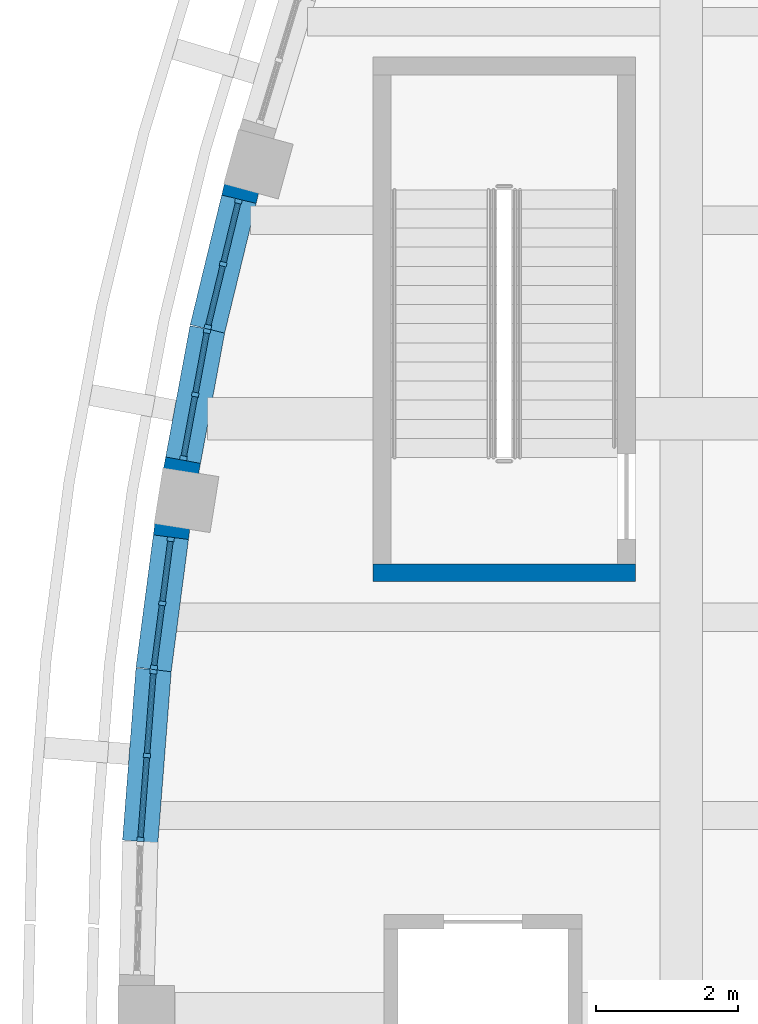
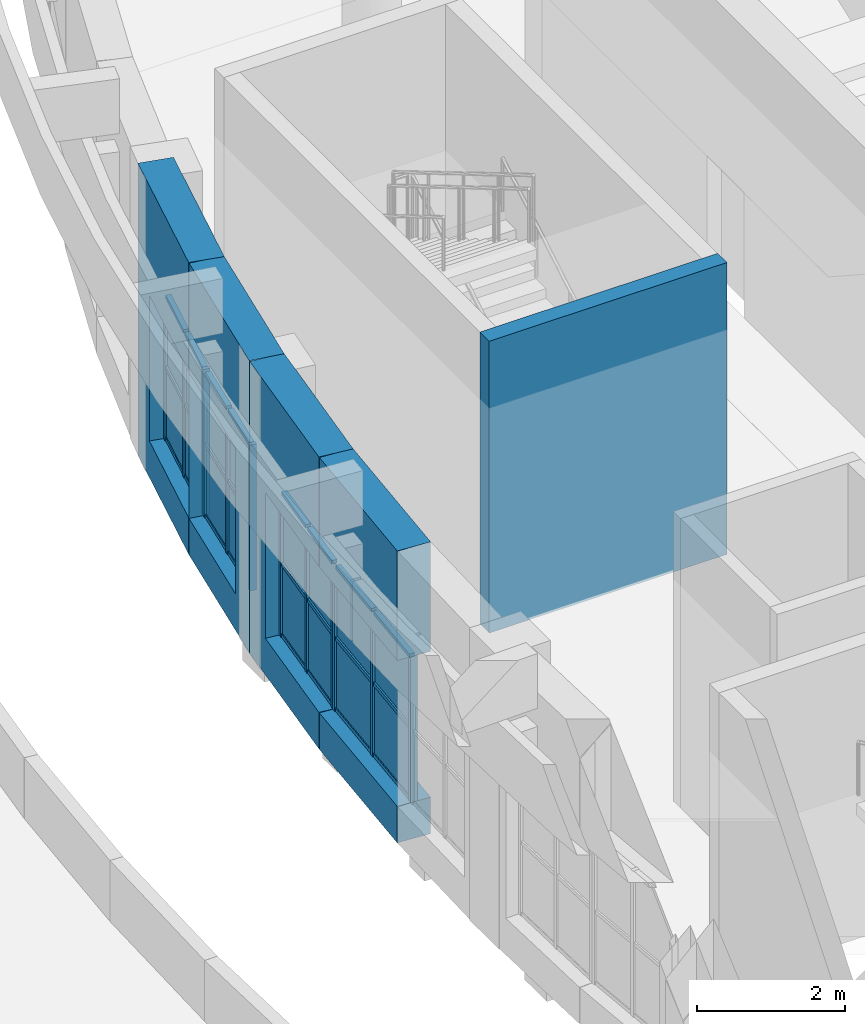
# One storey, part 24 of 79: 36 members, 16 plates, 5 walls, 4 openings, 4 elements without a shape of their own.
"""IFC4 building model written with IfcOpenShell, lengths in metres."""

from ifc_helpers import new_model, si_unit, direction, frame, frame_2d, origin, origin_2d, place, context, subcontext, project, spatial, rectangle, extrude, material, layer, layer_set, material_profile, profile_set, type_object, element, fill, aggregate, save


model = new_model("IFC4")

# Units and contexts
model_context = context("Model", 3, precision=1e-05, world=origin(), true_north=direction((0.0, 1.0)))
body_context = subcontext(model_context, "Body", "Model", "MODEL_VIEW")
ifc_project = project(units=[si_unit("LENGTHUNIT", "METRE"), si_unit("AREAUNIT", "SQUARE_METRE"), si_unit("VOLUMEUNIT", "CUBIC_METRE"), si_unit("PLANEANGLEUNIT", "RADIAN"), si_unit("MASSUNIT", "GRAM", prefix="KILO")], contexts=[model_context])

# Site, building, storey
site_placement = place(None, origin())
site = spatial("IfcSite", under=ifc_project, at=site_placement, CompositionType="ELEMENT")
building_placement = place(site_placement, origin())
building = spatial("IfcBuilding", under=site, at=building_placement, Name="Larchfold Concert Hall", CompositionType="ELEMENT")
storey_placement = place(building_placement, frame((0.0, 0.0, 14.39990234375)))
storey = spatial("IfcBuildingStorey", under=building, at=storey_placement, Name="L03", CompositionType="ELEMENT", Elevation=14.39990234375)

# Curtain wall, members
ifc_material_1 = material(Name="Anodised graphite aluminium curtain wall", Category="aluminium")
ifc_layer_1 = layer(ifc_material_1, 0.10009765625)
ifc_layer_set_1 = layer_set([ifc_layer_1], Name="Anodised graphite aluminium curtain wall")
curtain_wall_type = type_object("IfcCurtainWallType", Name="Curtain wall GB", PredefinedType="NOTDEFINED", material=ifc_layer_set_1)
curtain_wall_1_placement = place(storey_placement, origin())
curtain_wall_1 = element("IfcCurtainWall", 1, at=curtain_wall_1_placement, inside=storey, type_object=curtain_wall_type, Name="Curtain wall CW0034", PredefinedType="NOTDEFINED")
ifc_material_2 = material(Name="Anodised graphite aluminium mullion", Category="aluminium")
ifc_material_profile_1 = material_profile(ifc_material_2, rectangle(XDim=0.10009765625, YDim=0.06005859375, at=origin_2d()))
ifc_profile_set_1 = profile_set([ifc_material_profile_1], Name="Anodised graphite aluminium mullion")
member_type_1 = type_object("IfcMemberType", Name="Aluminium mullion 60x100", PredefinedType="MULLION", material=ifc_profile_set_1)
member_1_placement = place(storey_placement, frame((19.54833984375, 96.067626953125, 0.60009765625), z_axis=(0.0, 0.0, 1.0), x_axis=(0.971781721207, -0.235881933026, 0.0)))
member_1 = element("IfcMember", 2, at=member_1_placement, type_object=member_type_1, Name="CW0034 mullion 1", PredefinedType="MULLION", context=body_context, shape_type="SweptSolid", body=[
    extrude(rectangle(XDim=0.10009765625, YDim=0.06005859375, at=origin_2d()), origin(), (0.0, 0.0, 1.0), 2.39990234375),
])
member_2_placement = place(storey_placement, frame((19.333251953125, 95.181396484375, 0.60009765625), z_axis=(0.0, 0.0, 1.0), x_axis=(0.971781721207, -0.235881933026, 0.0)))
member_2 = element("IfcMember", 3, at=member_2_placement, type_object=member_type_1, Name="CW0034 mullion 2", PredefinedType="MULLION", context=body_context, shape_type="SweptSolid", body=[
    extrude(rectangle(XDim=0.10009765625, YDim=0.06005859375, at=origin_2d()), origin(), (0.0, 0.0, 1.0), 2.39990234375),
])
member_3_placement = place(storey_placement, frame((19.1181640625, 94.295166015625, 0.60009765625), z_axis=(0.0, 0.0, 1.0), x_axis=(0.971781721207, -0.235881933026, 0.0)))
member_3 = element("IfcMember", 4, at=member_3_placement, type_object=member_type_1, Name="CW0034 mullion 3", PredefinedType="MULLION", context=body_context, shape_type="SweptSolid", body=[
    extrude(rectangle(XDim=0.10009765625, YDim=0.06005859375, at=origin_2d()), origin(), (0.0, 0.0, 1.0), 2.39990234375),
])

curtain_wall_2_placement = place(storey_placement, origin())
curtain_wall_2 = element("IfcCurtainWall", 5, at=curtain_wall_2_placement, inside=storey, type_object=curtain_wall_type, Name="Curtain wall CW0035", PredefinedType="NOTDEFINED")
member_4_placement = place(storey_placement, frame((19.105712890625, 94.236572265625, 0.60009765625), z_axis=(0.0, 0.0, 1.0), x_axis=(0.983231256896, -0.182363086895, 0.0)))
member_4 = element("IfcMember", 6, at=member_4_placement, type_object=member_type_1, Name="CW0035 mullion 1", PredefinedType="MULLION", context=body_context, shape_type="SweptSolid", body=[
    extrude(rectangle(XDim=0.10009765625, YDim=0.06005859375, at=origin_2d()), origin(), (0.0, 0.0, 1.0), 2.39990234375),
])
member_5_placement = place(storey_placement, frame((18.939453125, 93.340087890625, 0.60009765625), z_axis=(0.0, 0.0, 1.0), x_axis=(0.983231256896, -0.182363086895, 0.0)))
member_5 = element("IfcMember", 7, at=member_5_placement, type_object=member_type_1, Name="CW0035 mullion 2", PredefinedType="MULLION", context=body_context, shape_type="SweptSolid", body=[
    extrude(rectangle(XDim=0.10009765625, YDim=0.06005859375, at=origin_2d()), origin(), (0.0, 0.0, 1.0), 2.39990234375),
])
member_6_placement = place(storey_placement, frame((18.77294921875, 92.443603515625, 0.60009765625), z_axis=(0.0, 0.0, 1.0), x_axis=(0.983231256896, -0.182363086895, 0.0)))
member_6 = element("IfcMember", 8, at=member_6_placement, type_object=member_type_1, Name="CW0035 mullion 3", PredefinedType="MULLION", context=body_context, shape_type="SweptSolid", body=[
    extrude(rectangle(XDim=0.10009765625, YDim=0.06005859375, at=origin_2d()), origin(), (0.0, 0.0, 1.0), 2.39990234375),
])

curtain_wall_3_placement = place(storey_placement, origin())
curtain_wall_3 = element("IfcCurtainWall", 9, at=curtain_wall_3_placement, inside=storey, type_object=curtain_wall_type, Name="Curtain wall CW0036", PredefinedType="NOTDEFINED")
member_7_placement = place(storey_placement, frame((18.592041015625, 91.297607421875, 0.60009765625), z_axis=(0.0, 0.0, 1.0), x_axis=(0.991547567541, -0.129743675388, 0.0)))
member_7 = element("IfcMember", 10, at=member_7_placement, type_object=member_type_1, Name="CW0036 mullion 1", PredefinedType="MULLION", context=body_context, shape_type="SweptSolid", body=[
    extrude(rectangle(XDim=0.10009765625, YDim=0.06005859375, at=origin_2d()), origin(), (0.0, 0.0, 1.0), 2.39990234375),
])
member_8_placement = place(storey_placement, frame((18.473876953125, 90.3935546875, 0.60009765625), z_axis=(0.0, 0.0, 1.0), x_axis=(0.991547567541, -0.129743675388, 0.0)))
member_8 = element("IfcMember", 11, at=member_8_placement, type_object=member_type_1, Name="CW0036 mullion 2", PredefinedType="MULLION", context=body_context, shape_type="SweptSolid", body=[
    extrude(rectangle(XDim=0.10009765625, YDim=0.06005859375, at=origin_2d()), origin(), (0.0, 0.0, 1.0), 2.39990234375),
])
member_9_placement = place(storey_placement, frame((18.35546875, 89.489501953125, 0.60009765625), z_axis=(0.0, 0.0, 1.0), x_axis=(0.991547567541, -0.129743675388, 0.0)))
member_9 = element("IfcMember", 12, at=member_9_placement, type_object=member_type_1, Name="CW0036 mullion 3", PredefinedType="MULLION", context=body_context, shape_type="SweptSolid", body=[
    extrude(rectangle(XDim=0.10009765625, YDim=0.06005859375, at=origin_2d()), origin(), (0.0, 0.0, 1.0), 2.39990234375),
])

curtain_wall_4_placement = place(storey_placement, origin())
curtain_wall_4 = element("IfcCurtainWall", 13, at=curtain_wall_4_placement, inside=storey, type_object=curtain_wall_type, Name="Curtain wall CW0037", PredefinedType="NOTDEFINED")
member_10_placement = place(storey_placement, frame((18.34912109375, 89.4296875, 0.60009765625), z_axis=(0.0, 0.0, 1.0), x_axis=(0.996989221463, -0.07754026236, 0.0)))
member_10 = element("IfcMember", 14, at=member_10_placement, type_object=member_type_1, Name="CW0037 mullion 1", PredefinedType="MULLION", context=body_context, shape_type="SweptSolid", body=[
    extrude(rectangle(XDim=0.10009765625, YDim=0.06005859375, at=origin_2d()), origin(), (0.0, 0.0, 1.0), 2.39990234375),
])
member_11_placement = place(storey_placement, frame((18.257080078125, 88.24658203125, 0.60009765625), z_axis=(0.0, 0.0, 1.0), x_axis=(0.996989221463, -0.07754026236, 0.0)))
member_11 = element("IfcMember", 15, at=member_11_placement, type_object=member_type_1, Name="CW0037 mullion 2", PredefinedType="MULLION", context=body_context, shape_type="SweptSolid", body=[
    extrude(rectangle(XDim=0.10009765625, YDim=0.06005859375, at=origin_2d()), origin(), (0.0, 0.0, 1.0), 2.39990234375),
])
member_12_placement = place(storey_placement, frame((18.165283203125, 87.063232421875, 0.60009765625), z_axis=(0.0, 0.0, 1.0), x_axis=(0.996989221463, -0.07754026236, 0.0)))
member_12 = element("IfcMember", 16, at=member_12_placement, type_object=member_type_1, Name="CW0037 mullion 3", PredefinedType="MULLION", context=body_context, shape_type="SweptSolid", body=[
    extrude(rectangle(XDim=0.10009765625, YDim=0.06005859375, at=origin_2d()), origin(), (0.0, 0.0, 1.0), 2.39990234375),
])

# Member
ifc_material_3 = material(Name="Anodised graphite aluminium transom", Category="aluminium")
ifc_material_profile_2 = material_profile(ifc_material_3, rectangle(XDim=0.080078125, YDim=0.06005859375, at=origin_2d()))
ifc_profile_set_2 = profile_set([ifc_material_profile_2], Name="Anodised graphite aluminium transom")
member_type_2 = type_object("IfcMemberType", Name="Aluminium transom 60x80", PredefinedType="USERDEFINED", material=ifc_profile_set_2)
member_13_placement = place(storey_placement, frame((19.541259765625, 96.038330078125, 0.630126953125), z_axis=(-0.235854284712, -0.971788431904, 0.0), x_axis=(0.971788431904, -0.235854284712, 0.0)))
member_13 = element("IfcMember", 17, at=member_13_placement, type_object=member_type_2, Name="CW0034 transom 1.1", ObjectType="TRANSOM", PredefinedType="USERDEFINED", context=body_context, shape_type="SweptSolid", body=[
    extrude(rectangle(XDim=0.080078125, YDim=0.06005859375, at=origin_2d()), origin(), (0.0, 0.0, 1.0), 0.851806640625),
])

member_14_placement = place(storey_placement, frame((19.541259765625, 96.038330078125, 1.800048828125), z_axis=(-0.235854284712, -0.971788431904, 0.0), x_axis=(0.971788431904, -0.235854284712, 0.0)))
member_14 = element("IfcMember", 18, at=member_14_placement, type_object=member_type_2, Name="CW0034 transom 1.2", ObjectType="TRANSOM", PredefinedType="USERDEFINED", context=body_context, shape_type="SweptSolid", body=[
    extrude(rectangle(XDim=0.080078125, YDim=0.06005859375, at=origin_2d()), origin(), (0.0, 0.0, 1.0), 0.851806640625),
])

member_15_placement = place(storey_placement, frame((19.541259765625, 96.038330078125, 2.969970703125), z_axis=(-0.235854284712, -0.971788431904, 0.0), x_axis=(0.971788431904, -0.235854284712, 0.0)))
member_15 = element("IfcMember", 19, at=member_15_placement, type_object=member_type_2, Name="CW0034 transom 1.3", ObjectType="TRANSOM", PredefinedType="USERDEFINED", context=body_context, shape_type="SweptSolid", body=[
    extrude(rectangle(XDim=0.080078125, YDim=0.06005859375, at=origin_2d()), origin(), (0.0, 0.0, 1.0), 0.851806640625),
])

member_16_placement = place(storey_placement, frame((19.326171875, 95.15234375, 0.630126953125), z_axis=(-0.235854284712, -0.971788431904, 0.0), x_axis=(0.971788431904, -0.235854284712, 0.0)))
member_16 = element("IfcMember", 20, at=member_16_placement, type_object=member_type_2, Name="CW0034 transom 2.1", ObjectType="TRANSOM", PredefinedType="USERDEFINED", context=body_context, shape_type="SweptSolid", body=[
    extrude(rectangle(XDim=0.080078125, YDim=0.06005859375, at=origin_2d()), origin(), (0.0, 0.0, 1.0), 0.851806640625),
])

member_17_placement = place(storey_placement, frame((19.326171875, 95.15234375, 1.800048828125), z_axis=(-0.235854284712, -0.971788431904, 0.0), x_axis=(0.971788431904, -0.235854284712, 0.0)))
member_17 = element("IfcMember", 21, at=member_17_placement, type_object=member_type_2, Name="CW0034 transom 2.2", ObjectType="TRANSOM", PredefinedType="USERDEFINED", context=body_context, shape_type="SweptSolid", body=[
    extrude(rectangle(XDim=0.080078125, YDim=0.06005859375, at=origin_2d()), origin(), (0.0, 0.0, 1.0), 0.851806640625),
])

member_18_placement = place(storey_placement, frame((19.326171875, 95.15234375, 2.969970703125), z_axis=(-0.235854284712, -0.971788431904, 0.0), x_axis=(0.971788431904, -0.235854284712, 0.0)))
member_18 = element("IfcMember", 22, at=member_18_placement, type_object=member_type_2, Name="CW0034 transom 2.3", ObjectType="TRANSOM", PredefinedType="USERDEFINED", context=body_context, shape_type="SweptSolid", body=[
    extrude(rectangle(XDim=0.080078125, YDim=0.06005859375, at=origin_2d()), origin(), (0.0, 0.0, 1.0), 0.851806640625),
])

member_19_placement = place(storey_placement, frame((19.10009765625, 94.20703125, 0.630126953125), z_axis=(-0.182315084835, -0.983240158782, 0.0), x_axis=(0.983240158782, -0.182315084835, 0.0)))
member_19 = element("IfcMember", 23, at=member_19_placement, type_object=member_type_2, Name="CW0035 transom 1.1", ObjectType="TRANSOM", PredefinedType="USERDEFINED", context=body_context, shape_type="SweptSolid", body=[
    extrude(rectangle(XDim=0.080078125, YDim=0.06005859375, at=origin_2d()), origin(), (0.0, 0.0, 1.0), 0.8515625),
])

member_20_placement = place(storey_placement, frame((19.10009765625, 94.20703125, 1.800048828125), z_axis=(-0.182315084835, -0.983240158782, 0.0), x_axis=(0.983240158782, -0.182315084835, 0.0)))
member_20 = element("IfcMember", 24, at=member_20_placement, type_object=member_type_2, Name="CW0035 transom 1.2", ObjectType="TRANSOM", PredefinedType="USERDEFINED", context=body_context, shape_type="SweptSolid", body=[
    extrude(rectangle(XDim=0.080078125, YDim=0.06005859375, at=origin_2d()), origin(), (0.0, 0.0, 1.0), 0.8515625),
])

member_21_placement = place(storey_placement, frame((19.10009765625, 94.20703125, 2.969970703125), z_axis=(-0.182315084835, -0.983240158782, 0.0), x_axis=(0.983240158782, -0.182315084835, 0.0)))
member_21 = element("IfcMember", 25, at=member_21_placement, type_object=member_type_2, Name="CW0035 transom 1.3", ObjectType="TRANSOM", PredefinedType="USERDEFINED", context=body_context, shape_type="SweptSolid", body=[
    extrude(rectangle(XDim=0.080078125, YDim=0.06005859375, at=origin_2d()), origin(), (0.0, 0.0, 1.0), 0.8515625),
])

member_22_placement = place(storey_placement, frame((18.933837890625, 93.310546875, 0.630126953125), z_axis=(-0.182315084835, -0.983240158782, 0.0), x_axis=(0.983240158782, -0.182315084835, 0.0)))
member_22 = element("IfcMember", 26, at=member_22_placement, type_object=member_type_2, Name="CW0035 transom 2.1", ObjectType="TRANSOM", PredefinedType="USERDEFINED", context=body_context, shape_type="SweptSolid", body=[
    extrude(rectangle(XDim=0.080078125, YDim=0.06005859375, at=origin_2d()), origin(), (0.0, 0.0, 1.0), 0.8515625),
])

member_23_placement = place(storey_placement, frame((18.933837890625, 93.310546875, 1.800048828125), z_axis=(-0.182315084835, -0.983240158782, 0.0), x_axis=(0.983240158782, -0.182315084835, 0.0)))
member_23 = element("IfcMember", 27, at=member_23_placement, type_object=member_type_2, Name="CW0035 transom 2.2", ObjectType="TRANSOM", PredefinedType="USERDEFINED", context=body_context, shape_type="SweptSolid", body=[
    extrude(rectangle(XDim=0.080078125, YDim=0.06005859375, at=origin_2d()), origin(), (0.0, 0.0, 1.0), 0.8515625),
])

member_24_placement = place(storey_placement, frame((18.933837890625, 93.310546875, 2.969970703125), z_axis=(-0.182315084835, -0.983240158782, 0.0), x_axis=(0.983240158782, -0.182315084835, 0.0)))
member_24 = element("IfcMember", 28, at=member_24_placement, type_object=member_type_2, Name="CW0035 transom 2.3", ObjectType="TRANSOM", PredefinedType="USERDEFINED", context=body_context, shape_type="SweptSolid", body=[
    extrude(rectangle(XDim=0.080078125, YDim=0.06005859375, at=origin_2d()), origin(), (0.0, 0.0, 1.0), 0.8515625),
])

member_25_placement = place(storey_placement, frame((18.588134765625, 91.267822265625, 0.630126953125), z_axis=(-0.129853863511, -0.991533143234, 0.0), x_axis=(0.991533143234, -0.129853863511, 0.0)))
member_25 = element("IfcMember", 29, at=member_25_placement, type_object=member_type_2, Name="CW0036 transom 1.1", ObjectType="TRANSOM", PredefinedType="USERDEFINED", context=body_context, shape_type="SweptSolid", body=[
    extrude(rectangle(XDim=0.080078125, YDim=0.06005859375, at=origin_2d()), origin(), (0.0, 0.0, 1.0), 0.851806640625),
])

member_26_placement = place(storey_placement, frame((18.588134765625, 91.267822265625, 1.800048828125), z_axis=(-0.129853863511, -0.991533143234, 0.0), x_axis=(0.991533143234, -0.129853863511, 0.0)))
member_26 = element("IfcMember", 30, at=member_26_placement, type_object=member_type_2, Name="CW0036 transom 1.2", ObjectType="TRANSOM", PredefinedType="USERDEFINED", context=body_context, shape_type="SweptSolid", body=[
    extrude(rectangle(XDim=0.080078125, YDim=0.06005859375, at=origin_2d()), origin(), (0.0, 0.0, 1.0), 0.851806640625),
])

member_27_placement = place(storey_placement, frame((18.588134765625, 91.267822265625, 2.969970703125), z_axis=(-0.129853863511, -0.991533143234, 0.0), x_axis=(0.991533143234, -0.129853863511, 0.0)))
member_27 = element("IfcMember", 31, at=member_27_placement, type_object=member_type_2, Name="CW0036 transom 1.3", ObjectType="TRANSOM", PredefinedType="USERDEFINED", context=body_context, shape_type="SweptSolid", body=[
    extrude(rectangle(XDim=0.080078125, YDim=0.06005859375, at=origin_2d()), origin(), (0.0, 0.0, 1.0), 0.851806640625),
])

member_28_placement = place(storey_placement, frame((18.469970703125, 90.36376953125, 0.630126953125), z_axis=(-0.129853863511, -0.991533143234, 0.0), x_axis=(0.991533143234, -0.129853863511, 0.0)))
member_28 = element("IfcMember", 32, at=member_28_placement, type_object=member_type_2, Name="CW0036 transom 2.1", ObjectType="TRANSOM", PredefinedType="USERDEFINED", context=body_context, shape_type="SweptSolid", body=[
    extrude(rectangle(XDim=0.080078125, YDim=0.06005859375, at=origin_2d()), origin(), (0.0, 0.0, 1.0), 0.851806640625),
])

member_29_placement = place(storey_placement, frame((18.469970703125, 90.36376953125, 1.800048828125), z_axis=(-0.129853863511, -0.991533143234, 0.0), x_axis=(0.991533143234, -0.129853863511, 0.0)))
member_29 = element("IfcMember", 33, at=member_29_placement, type_object=member_type_2, Name="CW0036 transom 2.2", ObjectType="TRANSOM", PredefinedType="USERDEFINED", context=body_context, shape_type="SweptSolid", body=[
    extrude(rectangle(XDim=0.080078125, YDim=0.06005859375, at=origin_2d()), origin(), (0.0, 0.0, 1.0), 0.851806640625),
])

member_30_placement = place(storey_placement, frame((18.469970703125, 90.36376953125, 2.969970703125), z_axis=(-0.129853863511, -0.991533143234, 0.0), x_axis=(0.991533143234, -0.129853863511, 0.0)))
member_30 = element("IfcMember", 34, at=member_30_placement, type_object=member_type_2, Name="CW0036 transom 2.3", ObjectType="TRANSOM", PredefinedType="USERDEFINED", context=body_context, shape_type="SweptSolid", body=[
    extrude(rectangle(XDim=0.080078125, YDim=0.06005859375, at=origin_2d()), origin(), (0.0, 0.0, 1.0), 0.851806640625),
])

member_31_placement = place(storey_placement, frame((18.346923828125, 89.39990234375, 0.630126953125), z_axis=(-0.077557941975, -0.996987846283, 0.0), x_axis=(0.996987846283, -0.077557941975, 0.0)))
member_31 = element("IfcMember", 35, at=member_31_placement, type_object=member_type_2, Name="CW0037 transom 1.1", ObjectType="TRANSOM", PredefinedType="USERDEFINED", context=body_context, shape_type="SweptSolid", body=[
    extrude(rectangle(XDim=0.080078125, YDim=0.06005859375, at=origin_2d()), origin(), (0.0, 0.0, 1.0), 1.126953125),
])

member_32_placement = place(storey_placement, frame((18.346923828125, 89.39990234375, 1.800048828125), z_axis=(-0.077557941975, -0.996987846283, 0.0), x_axis=(0.996987846283, -0.077557941975, 0.0)))
member_32 = element("IfcMember", 36, at=member_32_placement, type_object=member_type_2, Name="CW0037 transom 1.2", ObjectType="TRANSOM", PredefinedType="USERDEFINED", context=body_context, shape_type="SweptSolid", body=[
    extrude(rectangle(XDim=0.080078125, YDim=0.06005859375, at=origin_2d()), origin(), (0.0, 0.0, 1.0), 1.126953125),
])

member_33_placement = place(storey_placement, frame((18.346923828125, 89.39990234375, 2.969970703125), z_axis=(-0.077557941975, -0.996987846283, 0.0), x_axis=(0.996987846283, -0.077557941975, 0.0)))
member_33 = element("IfcMember", 37, at=member_33_placement, type_object=member_type_2, Name="CW0037 transom 1.3", ObjectType="TRANSOM", PredefinedType="USERDEFINED", context=body_context, shape_type="SweptSolid", body=[
    extrude(rectangle(XDim=0.080078125, YDim=0.06005859375, at=origin_2d()), origin(), (0.0, 0.0, 1.0), 1.126953125),
])

member_34_placement = place(storey_placement, frame((18.2548828125, 88.216552734375, 0.630126953125), z_axis=(-0.077557941975, -0.996987846283, 0.0), x_axis=(0.996987846283, -0.077557941975, 0.0)))
member_34 = element("IfcMember", 38, at=member_34_placement, type_object=member_type_2, Name="CW0037 transom 2.1", ObjectType="TRANSOM", PredefinedType="USERDEFINED", context=body_context, shape_type="SweptSolid", body=[
    extrude(rectangle(XDim=0.080078125, YDim=0.06005859375, at=origin_2d()), origin(), (0.0, 0.0, 1.0), 1.126953125),
])

member_35_placement = place(storey_placement, frame((18.2548828125, 88.216552734375, 1.800048828125), z_axis=(-0.077557941975, -0.996987846283, 0.0), x_axis=(0.996987846283, -0.077557941975, 0.0)))
member_35 = element("IfcMember", 39, at=member_35_placement, type_object=member_type_2, Name="CW0037 transom 2.2", ObjectType="TRANSOM", PredefinedType="USERDEFINED", context=body_context, shape_type="SweptSolid", body=[
    extrude(rectangle(XDim=0.080078125, YDim=0.06005859375, at=origin_2d()), origin(), (0.0, 0.0, 1.0), 1.126953125),
])

member_36_placement = place(storey_placement, frame((18.2548828125, 88.216552734375, 2.969970703125), z_axis=(-0.077557941975, -0.996987846283, 0.0), x_axis=(0.996987846283, -0.077557941975, 0.0)))
member_36 = element("IfcMember", 40, at=member_36_placement, type_object=member_type_2, Name="CW0037 transom 2.3", ObjectType="TRANSOM", PredefinedType="USERDEFINED", context=body_context, shape_type="SweptSolid", body=[
    extrude(rectangle(XDim=0.080078125, YDim=0.06005859375, at=origin_2d()), origin(), (0.0, 0.0, 1.0), 1.126953125),
])

# Plate
ifc_material_4 = material(Name="Insulated glazing unit, glass", Category="glass")
ifc_layer_2 = layer(ifc_material_4, 0.02392578125)
ifc_layer_set_2 = layer_set([ifc_layer_2], Name="Insulated glazing unit, glass")
plate_type_1 = type_object("IfcPlateType", Name="Glass panel 24", PredefinedType="CURTAIN_PANEL", material=ifc_layer_set_2)
plate_1_placement = place(storey_placement, frame((19.44091796875, 95.62451171875, 1.830078125), z_axis=(0.0, 0.0, 1.0), x_axis=(-0.235881933026, -0.971781721207, 0.0)))
plate_1 = element("IfcPlate", 41, at=plate_1_placement, type_object=plate_type_1, Name="CW0034 panel 1.2", PredefinedType="CURTAIN_PANEL", context=body_context, shape_type="SweptSolid", body=[
    extrude(rectangle(XDim=0.851806640625, YDim=0.02392578125, at=origin_2d()), origin(), (0.0, 0.0, 1.0), 1.10986328125),
])

plate_2_placement = place(storey_placement, frame((19.2255859375, 94.73828125, 1.830078125), z_axis=(0.0, 0.0, 1.0), x_axis=(-0.235881933026, -0.971781721207, 0.0)))
plate_2 = element("IfcPlate", 42, at=plate_2_placement, type_object=plate_type_1, Name="CW0034 panel 2.2", PredefinedType="CURTAIN_PANEL", context=body_context, shape_type="SweptSolid", body=[
    extrude(rectangle(XDim=0.851806640625, YDim=0.02392578125, at=origin_2d()), origin(), (0.0, 0.0, 1.0), 1.10986328125),
])

plate_3_placement = place(storey_placement, frame((19.0224609375, 93.788330078125, 1.830078125), z_axis=(0.0, 0.0, 1.0), x_axis=(-0.182363086895, -0.983231256896, 0.0)))
plate_3 = element("IfcPlate", 43, at=plate_3_placement, type_object=plate_type_1, Name="CW0035 panel 1.2", PredefinedType="CURTAIN_PANEL", context=body_context, shape_type="SweptSolid", body=[
    extrude(rectangle(XDim=0.851806640625, YDim=0.02392578125, at=origin_2d()), origin(), (0.0, 0.0, 1.0), 1.10986328125),
])

plate_4_placement = place(storey_placement, frame((18.856201171875, 92.891845703125, 1.830078125), z_axis=(0.0, 0.0, 1.0), x_axis=(-0.182363086895, -0.983231256896, 0.0)))
plate_4 = element("IfcPlate", 44, at=plate_4_placement, type_object=plate_type_1, Name="CW0035 panel 2.2", PredefinedType="CURTAIN_PANEL", context=body_context, shape_type="SweptSolid", body=[
    extrude(rectangle(XDim=0.851806640625, YDim=0.02392578125, at=origin_2d()), origin(), (0.0, 0.0, 1.0), 1.10986328125),
])

plate_5_placement = place(storey_placement, frame((18.532958984375, 90.845703125, 1.830078125), z_axis=(0.0, 0.0, 1.0), x_axis=(-0.129743675388, -0.991547567541, 0.0)))
plate_5 = element("IfcPlate", 45, at=plate_5_placement, type_object=plate_type_1, Name="CW0036 panel 1.2", PredefinedType="CURTAIN_PANEL", context=body_context, shape_type="SweptSolid", body=[
    extrude(rectangle(XDim=0.851806640625, YDim=0.02392578125, at=origin_2d()), origin(), (0.0, 0.0, 1.0), 1.10986328125),
])

plate_6_placement = place(storey_placement, frame((18.41455078125, 89.94140625, 1.830078125), z_axis=(0.0, 0.0, 1.0), x_axis=(-0.129743675388, -0.991547567541, 0.0)))
plate_6 = element("IfcPlate", 46, at=plate_6_placement, type_object=plate_type_1, Name="CW0036 panel 2.2", PredefinedType="CURTAIN_PANEL", context=body_context, shape_type="SweptSolid", body=[
    extrude(rectangle(XDim=0.851806640625, YDim=0.02392578125, at=origin_2d()), origin(), (0.0, 0.0, 1.0), 1.10986328125),
])

plate_7_placement = place(storey_placement, frame((18.30322265625, 88.838134765625, 1.830078125), z_axis=(0.0, 0.0, 1.0), x_axis=(-0.07754026236, -0.996989221463, 0.0)))
plate_7 = element("IfcPlate", 47, at=plate_7_placement, type_object=plate_type_1, Name="CW0037 panel 1.2", PredefinedType="CURTAIN_PANEL", context=body_context, shape_type="SweptSolid", body=[
    extrude(rectangle(XDim=1.126953125, YDim=0.02392578125, at=origin_2d()), origin(), (0.0, 0.0, 1.0), 1.10986328125),
])

plate_8_placement = place(storey_placement, frame((18.211181640625, 87.65478515625, 1.830078125), z_axis=(0.0, 0.0, 1.0), x_axis=(-0.07754026236, -0.996989221463, 0.0)))
plate_8 = element("IfcPlate", 48, at=plate_8_placement, type_object=plate_type_1, Name="CW0037 panel 2.2", PredefinedType="CURTAIN_PANEL", context=body_context, shape_type="SweptSolid", body=[
    extrude(rectangle(XDim=1.126953125, YDim=0.02392578125, at=origin_2d()), origin(), (0.0, 0.0, 1.0), 1.10986328125),
])

ifc_material_5 = material(Name="White insulated panel")
ifc_layer_3 = layer(ifc_material_5, 0.050048828125)
ifc_layer_set_3 = layer_set([ifc_layer_3], Name="White insulated panel")
plate_type_2 = type_object("IfcPlateType", Name="Insulated spandrel panel 50", PredefinedType="CURTAIN_PANEL", material=ifc_layer_set_3)
plate_9_placement = place(storey_placement, frame((19.44091796875, 95.62451171875, 0.66015625), z_axis=(0.0, 0.0, 1.0), x_axis=(-0.235881933026, -0.971781721207, 0.0)))
plate_9 = element("IfcPlate", 49, at=plate_9_placement, type_object=plate_type_2, Name="CW0034 panel 1.1", PredefinedType="CURTAIN_PANEL", context=body_context, shape_type="SweptSolid", body=[
    extrude(rectangle(XDim=0.851806640625, YDim=0.050048828125, at=origin_2d()), origin(), (0.0, 0.0, 1.0), 1.10986328125),
])

plate_10_placement = place(storey_placement, frame((19.2255859375, 94.73828125, 0.66015625), z_axis=(0.0, 0.0, 1.0), x_axis=(-0.235881933026, -0.971781721207, 0.0)))
plate_10 = element("IfcPlate", 50, at=plate_10_placement, type_object=plate_type_2, Name="CW0034 panel 2.1", PredefinedType="CURTAIN_PANEL", context=body_context, shape_type="SweptSolid", body=[
    extrude(rectangle(XDim=0.851806640625, YDim=0.050048828125, at=origin_2d()), origin(), (0.0, 0.0, 1.0), 1.10986328125),
])

aggregate(curtain_wall_1, [member_1, member_2, member_3, member_13, member_14, member_15, plate_9, plate_1, member_16, member_17, member_18, plate_10, plate_2])

plate_11_placement = place(storey_placement, frame((19.0224609375, 93.788330078125, 0.66015625), z_axis=(0.0, 0.0, 1.0), x_axis=(-0.182363086895, -0.983231256896, 0.0)))
plate_11 = element("IfcPlate", 51, at=plate_11_placement, type_object=plate_type_2, Name="CW0035 panel 1.1", PredefinedType="CURTAIN_PANEL", context=body_context, shape_type="SweptSolid", body=[
    extrude(rectangle(XDim=0.851806640625, YDim=0.050048828125, at=origin_2d()), origin(), (0.0, 0.0, 1.0), 1.10986328125),
])

plate_12_placement = place(storey_placement, frame((18.856201171875, 92.891845703125, 0.66015625), z_axis=(0.0, 0.0, 1.0), x_axis=(-0.182363086895, -0.983231256896, 0.0)))
plate_12 = element("IfcPlate", 52, at=plate_12_placement, type_object=plate_type_2, Name="CW0035 panel 2.1", PredefinedType="CURTAIN_PANEL", context=body_context, shape_type="SweptSolid", body=[
    extrude(rectangle(XDim=0.851806640625, YDim=0.050048828125, at=origin_2d()), origin(), (0.0, 0.0, 1.0), 1.10986328125),
])

aggregate(curtain_wall_2, [member_4, member_5, member_6, member_19, member_20, member_21, plate_11, plate_3, member_22, member_23, member_24, plate_12, plate_4])

plate_13_placement = place(storey_placement, frame((18.532958984375, 90.845703125, 0.66015625), z_axis=(0.0, 0.0, 1.0), x_axis=(-0.129743675388, -0.991547567541, 0.0)))
plate_13 = element("IfcPlate", 53, at=plate_13_placement, type_object=plate_type_2, Name="CW0036 panel 1.1", PredefinedType="CURTAIN_PANEL", context=body_context, shape_type="SweptSolid", body=[
    extrude(rectangle(XDim=0.851806640625, YDim=0.050048828125, at=origin_2d()), origin(), (0.0, 0.0, 1.0), 1.10986328125),
])

plate_14_placement = place(storey_placement, frame((18.41455078125, 89.94140625, 0.66015625), z_axis=(0.0, 0.0, 1.0), x_axis=(-0.129743675388, -0.991547567541, 0.0)))
plate_14 = element("IfcPlate", 54, at=plate_14_placement, type_object=plate_type_2, Name="CW0036 panel 2.1", PredefinedType="CURTAIN_PANEL", context=body_context, shape_type="SweptSolid", body=[
    extrude(rectangle(XDim=0.851806640625, YDim=0.050048828125, at=origin_2d()), origin(), (0.0, 0.0, 1.0), 1.10986328125),
])

aggregate(curtain_wall_3, [member_7, member_8, member_9, member_25, member_26, member_27, plate_13, plate_5, member_28, member_29, member_30, plate_14, plate_6])

plate_15_placement = place(storey_placement, frame((18.30322265625, 88.838134765625, 0.66015625), z_axis=(0.0, 0.0, 1.0), x_axis=(-0.07754026236, -0.996989221463, 0.0)))
plate_15 = element("IfcPlate", 55, at=plate_15_placement, type_object=plate_type_2, Name="CW0037 panel 1.1", PredefinedType="CURTAIN_PANEL", context=body_context, shape_type="SweptSolid", body=[
    extrude(rectangle(XDim=1.126953125, YDim=0.050048828125, at=origin_2d()), origin(), (0.0, 0.0, 1.0), 1.10986328125),
])

plate_16_placement = place(storey_placement, frame((18.211181640625, 87.65478515625, 0.66015625), z_axis=(0.0, 0.0, 1.0), x_axis=(-0.07754026236, -0.996989221463, 0.0)))
plate_16 = element("IfcPlate", 56, at=plate_16_placement, type_object=plate_type_2, Name="CW0037 panel 2.1", PredefinedType="CURTAIN_PANEL", context=body_context, shape_type="SweptSolid", body=[
    extrude(rectangle(XDim=1.126953125, YDim=0.050048828125, at=origin_2d()), origin(), (0.0, 0.0, 1.0), 1.10986328125),
])

aggregate(curtain_wall_4, [member_10, member_11, member_12, member_31, member_32, member_33, plate_15, plate_7, member_34, member_35, member_36, plate_16, plate_8])

# Wall
ifc_material_6 = material(Name="Concrete C40/50", Category="concrete")
ifc_layer_4 = layer(ifc_material_6, 0.25)
ifc_layer_set_4 = layer_set([ifc_layer_4], Name="Concrete C40/50")
wall_type_1 = type_object("IfcWallType", Name="Wall RC 250 stair core", PredefinedType="SOLIDWALL", material=ifc_layer_set_4)
wall_1_placement = place(storey_placement, frame((21.449951171875, 90.824951171875, 0.0), z_axis=(0.0, 0.0, 1.0), x_axis=(1.0, 0.0, 0.0)))
element("IfcWall", 57, at=wall_1_placement, inside=storey, type_object=wall_type_1, Name="Wall W0042", PredefinedType="SOLIDWALL", context=body_context, shape_type="SweptSolid", body=[
    extrude(rectangle(XDim=3.699951171875, YDim=0.25, at=frame_2d((1.85009765625, 0.0))), origin(), (0.0, 0.0, 1.0), 4.800048828125),
])

# Wall, opening
ifc_material_7 = material(Name="Concrete C30/37", Category="concrete")
ifc_layer_5 = layer(ifc_material_7, 0.5)
ifc_layer_set_5 = layer_set([ifc_layer_5], Name="Concrete C30/37")
wall_type_2 = type_object("IfcWallType", Name="Wall RC 500 drum facade", PredefinedType="SOLIDWALL", material=ifc_layer_set_5)
wall_2_placement = place(storey_placement, frame((19.685302734375, 96.63134765625, 0.0), z_axis=(0.0, 0.0, 1.0), x_axis=(-0.235921551206, -0.971772103776, 0.0)))
wall_2 = element("IfcWall", 58, at=wall_2_placement, inside=storey, type_object=wall_type_2, Name="Wall DW034", PredefinedType="SOLIDWALL", context=body_context, shape_type="SweptSolid", body=[
    extrude(rectangle(XDim=2.433837890625, YDim=0.5, at=frame_2d((1.216796875, 0.0))), origin(), (0.0, 0.0, 1.0), 4.800048828125),
])
opening_1_placement = place(wall_2_placement, frame((0.55029296875, 0.0, 0.60009765625)))
opening_1 = element("IfcOpeningElement", 59, at=opening_1_placement, cuts=wall_2, Name="Opening CW0034", PredefinedType="OPENING", context=body_context, shape_type="SweptSolid", body=[
    extrude(rectangle(XDim=1.8837890625, YDim=2.39990234375, at=frame_2d((0.94189453125, 1.199951171875))), frame((0.0, 0.260009765625, 0.0), z_axis=(0.0, -1.0, 0.0), x_axis=(1.0, 0.0, 0.0)), (0.0, 0.0, 1.0), 0.52001953125),
])

fill(opening_1, curtain_wall_1)

wall_3_placement = place(storey_placement, frame((19.111083984375, 94.26611328125, 0.0), z_axis=(0.0, 0.0, 1.0), x_axis=(-0.182362243365, -0.983231413348, 0.0)))
wall_3 = element("IfcWall", 60, at=wall_3_placement, inside=storey, type_object=wall_type_2, Name="Wall DW035", PredefinedType="SOLIDWALL", context=body_context, shape_type="SweptSolid", body=[
    extrude(rectangle(XDim=2.433837890625, YDim=0.5, at=frame_2d((1.216796875, 0.0))), origin(), (0.0, 0.0, 1.0), 4.800048828125),
])
opening_2_placement = place(wall_3_placement, frame((0.0, 0.0, 0.60009765625)))
opening_2 = element("IfcOpeningElement", 61, at=opening_2_placement, cuts=wall_3, Name="Opening CW0035", PredefinedType="OPENING", context=body_context, shape_type="SweptSolid", body=[
    extrude(rectangle(XDim=1.883544921875, YDim=2.39990234375, at=frame_2d((0.94189453125, 1.199951171875))), frame((0.0, 0.260009765625, 0.0), z_axis=(0.0, -1.0, 0.0), x_axis=(1.0, 0.0, 0.0)), (0.0, 0.0, 1.0), 0.52001953125),
])

fill(opening_2, curtain_wall_2)

wall_4_placement = place(storey_placement, frame((18.667236328125, 91.873046875, 0.0), z_axis=(0.0, 0.0, 1.0), x_axis=(-0.129699392582, -0.991553360926, 0.0)))
wall_4 = element("IfcWall", 62, at=wall_4_placement, inside=storey, type_object=wall_type_2, Name="Wall DW036", PredefinedType="SOLIDWALL", context=body_context, shape_type="SweptSolid", body=[
    extrude(rectangle(XDim=2.433837890625, YDim=0.5, at=frame_2d((1.216796875, 0.0))), origin(), (0.0, 0.0, 1.0), 4.800048828125),
])
opening_3_placement = place(wall_4_placement, frame((0.55029296875, 0.0, 0.60009765625)))
opening_3 = element("IfcOpeningElement", 63, at=opening_3_placement, cuts=wall_4, Name="Opening CW0036", PredefinedType="OPENING", context=body_context, shape_type="SweptSolid", body=[
    extrude(rectangle(XDim=1.883544921875, YDim=2.39990234375, at=frame_2d((0.94189453125, 1.199951171875))), frame((0.0, 0.260009765625, 0.0), z_axis=(0.0, -1.0, 0.0), x_axis=(1.0, 0.0, 0.0)), (0.0, 0.0, 1.0), 0.52001953125),
])

fill(opening_3, curtain_wall_3)

wall_5_placement = place(storey_placement, frame((18.3515625, 89.459716796875, 0.0), z_axis=(0.0, 0.0, 1.0), x_axis=(-0.077540262419, -0.996989221458, 0.0)))
wall_5 = element("IfcWall", 64, at=wall_5_placement, inside=storey, type_object=wall_type_2, Name="Wall DW037", PredefinedType="SOLIDWALL", context=body_context, shape_type="SweptSolid", body=[
    extrude(rectangle(XDim=2.433837890625, YDim=0.5, at=frame_2d((1.216796875, 0.0))), origin(), (0.0, 0.0, 1.0), 4.800048828125),
])
opening_4_placement = place(wall_5_placement, frame((0.0, 0.0, 0.60009765625)))
opening_4 = element("IfcOpeningElement", 65, at=opening_4_placement, cuts=wall_5, Name="Opening CW0037", PredefinedType="OPENING", context=body_context, shape_type="SweptSolid", body=[
    extrude(rectangle(XDim=2.433837890625, YDim=2.39990234375, at=frame_2d((1.216796875, 1.199951171875))), frame((0.0, 0.260009765625, 0.0), z_axis=(0.0, -1.0, 0.0), x_axis=(1.0, 0.0, 0.0)), (0.0, 0.0, 1.0), 0.52001953125),
])

fill(opening_4, curtain_wall_4)

save(model, "model.ifc")
